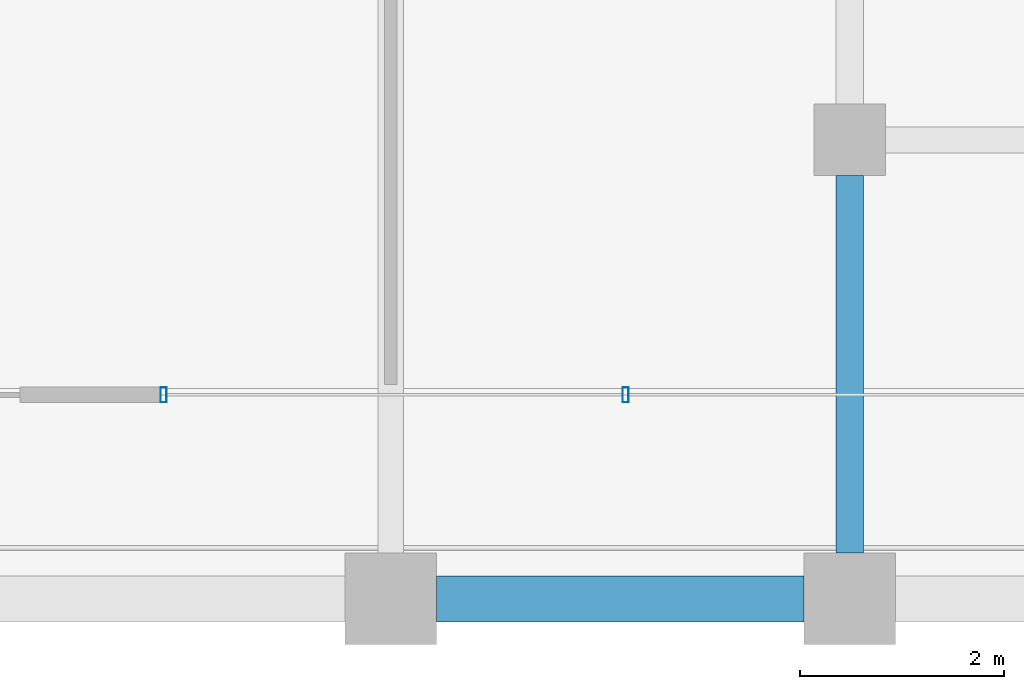
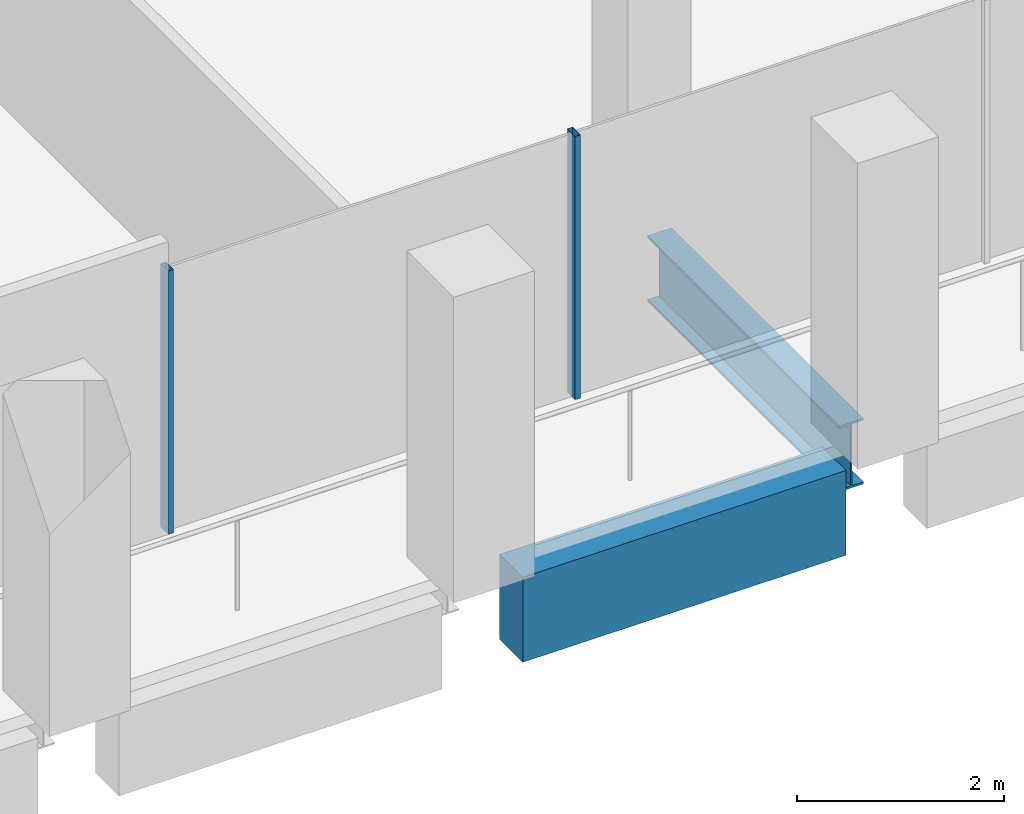
# One storey, part 9 of 40: 2 beams, 2 members, 1 element without a shape of its own.
"""IFC4 building model written with IfcOpenShell, lengths in metres."""

from ifc_helpers import new_model, si_unit, direction, frame, origin, origin_2d, place, context, subcontext, project, spatial, rectangle, hollow_rectangle, i_section, extrude, material, material_profile, profile_set, type_object, element, aggregate, save


model = new_model("IFC4")

# Units and contexts
model_context = context("Model", 3, precision=1e-05, world=origin(), true_north=direction((0.0, 1.0)))
body_context = subcontext(model_context, "Body", "Model", "MODEL_VIEW")
ifc_project = project(units=[si_unit("LENGTHUNIT", "METRE"), si_unit("AREAUNIT", "SQUARE_METRE"), si_unit("VOLUMEUNIT", "CUBIC_METRE"), si_unit("PLANEANGLEUNIT", "RADIAN"), si_unit("MASSUNIT", "GRAM", prefix="KILO")], contexts=[model_context])

# Site, building, storey
site_placement = place(None, origin())
site = spatial("IfcSite", under=ifc_project, at=site_placement, CompositionType="ELEMENT")
building_placement = place(site_placement, origin())
building = spatial("IfcBuilding", under=site, at=building_placement, Name="Altepetl Exchange Towers", CompositionType="ELEMENT")
storey_placement = place(building_placement, frame((0.0, 0.0, 158.199951171875)))
storey = spatial("IfcBuildingStorey", under=building, at=storey_placement, Name="L39", CompositionType="ELEMENT", Elevation=158.199951171875)

# Beam
ifc_material_1 = material(Name="Steel S355", Category="steel")
ifc_material_profile_1 = material_profile(ifc_material_1, i_section(OverallWidth=0.26806640625, OverallDepth=0.77392578125, WebThickness=0.015380859375, FlangeThickness=0.025390625, at=origin_2d()), Name="W30X132")
ifc_profile_set_1 = profile_set([ifc_material_profile_1], Name="Steel S355")
beam_type_1 = type_object("IfcBeamType", Name="Girder W30X132", PredefinedType="BEAM", material=ifc_profile_set_1)
beam_1_placement = place(storey_placement, frame((58.5, 31.14990234375, -0.536865234375), z_axis=(0.0, -1.0, 0.0), x_axis=(1.0, 0.0, 0.0)))
element("IfcBeam", 1, at=beam_1_placement, inside=storey, type_object=beam_type_1, Name="gd:A:L39:005", PredefinedType="BEAM", context=body_context, shape_type="SweptSolid", body=[
    extrude(i_section(OverallWidth=0.26806640625, OverallDepth=0.77392578125, WebThickness=0.015380859375, FlangeThickness=0.025390625, at=origin_2d()), origin(), (0.0, 0.0, 1.0), 3.699951171875),
])

# Curtain wall, members
ifc_material_2 = material(Name="Aluminium 6063-T6 glazing", Category="aluminium")
curtain_wall_type = type_object("IfcCurtainWallType", Name="Loggia glazing system", PredefinedType="NOTDEFINED", material=ifc_material_2)
curtain_wall_placement = place(storey_placement, origin())
curtain_wall = element("IfcCurtainWall", 2, at=curtain_wall_placement, inside=storey, type_object=curtain_wall_type, Name="CW1 run", PredefinedType="NOTDEFINED")
ifc_material_3 = material(Name="Aluminium 6063-T6", Category="aluminium")
ifc_material_profile_2 = material_profile(ifc_material_3, hollow_rectangle(XDim=0.06005859375, YDim=0.14990234375, WallThickness=0.0029296875, at=origin_2d()), Name="Mullion 60x150 aluminium")
ifc_profile_set_2 = profile_set([ifc_material_profile_2], Name="Aluminium 6063-T6")
member_type = type_object("IfcMemberType", Name="Mullion 60x150 aluminium", PredefinedType="MULLION", material=ifc_profile_set_2)
member_1_placement = place(storey_placement, frame((51.77294921875, 29.0, 0.0)))
member_1 = element("IfcMember", 3, at=member_1_placement, type_object=member_type, Name="MU1 mullion", PredefinedType="MULLION", context=body_context, shape_type="SweptSolid", body=[
    extrude(hollow_rectangle(XDim=0.06005859375, YDim=0.14990234375, WallThickness=0.0029296875, at=origin_2d()), origin(), (0.0, 0.0, 1.0), 3.10009765625),
])
member_2_placement = place(storey_placement, frame((56.303466796875, 29.0, 0.0)))
member_2 = element("IfcMember", 4, at=member_2_placement, type_object=member_type, Name="MU1 mullion", PredefinedType="MULLION", context=body_context, shape_type="SweptSolid", body=[
    extrude(hollow_rectangle(XDim=0.06005859375, YDim=0.14990234375, WallThickness=0.0029296875, at=origin_2d()), origin(), (0.0, 0.0, 1.0), 3.10009765625),
])
aggregate(curtain_wall, [member_1, member_2])

# Beam
ifc_material_4 = material(Name="Concrete C50/60 precast with cantera blanca facing", Category="concrete")
ifc_material_profile_3 = material_profile(ifc_material_4, rectangle(XDim=0.449951171875, YDim=1.0, at=origin_2d()), Name="450 x 1000")
ifc_profile_set_3 = profile_set([ifc_material_profile_3], Name="Concrete C50/60 precast with cantera blanca facing")
beam_type_2 = type_object("IfcBeamType", Name="Spandrel beam 450x1000 cantera blanca", PredefinedType="SPANDREL", material=ifc_profile_set_3)
beam_2_placement = place(storey_placement, frame((54.449951171875, 27.0, -0.64990234375), z_axis=(1.0, 0.0, 0.0), x_axis=(0.0, 1.0, 0.0)))
element("IfcBeam", 5, at=beam_2_placement, inside=storey, type_object=beam_type_2, Name="sp:A:L39:005", PredefinedType="SPANDREL", context=body_context, shape_type="SweptSolid", body=[
    extrude(rectangle(XDim=0.449951171875, YDim=1.0, at=origin_2d()), origin(), (0.0, 0.0, 1.0), 3.60009765625),
])

save(model, "model.ifc")
